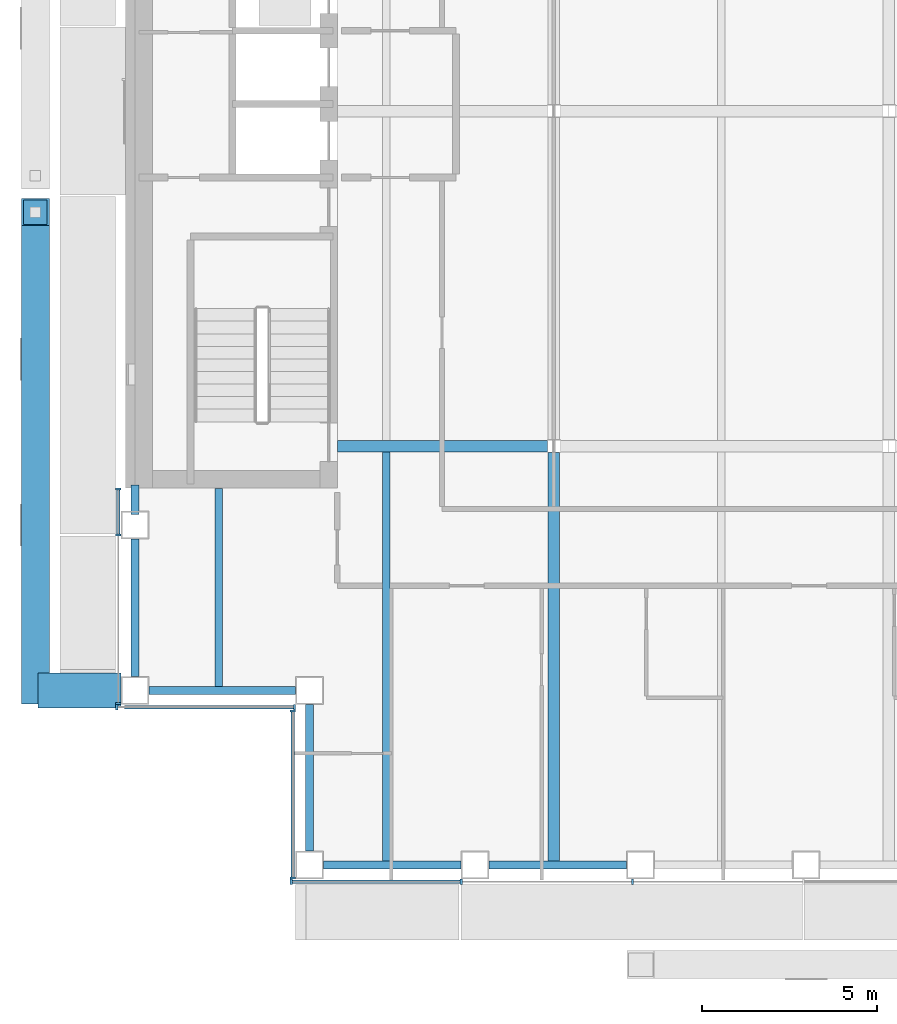
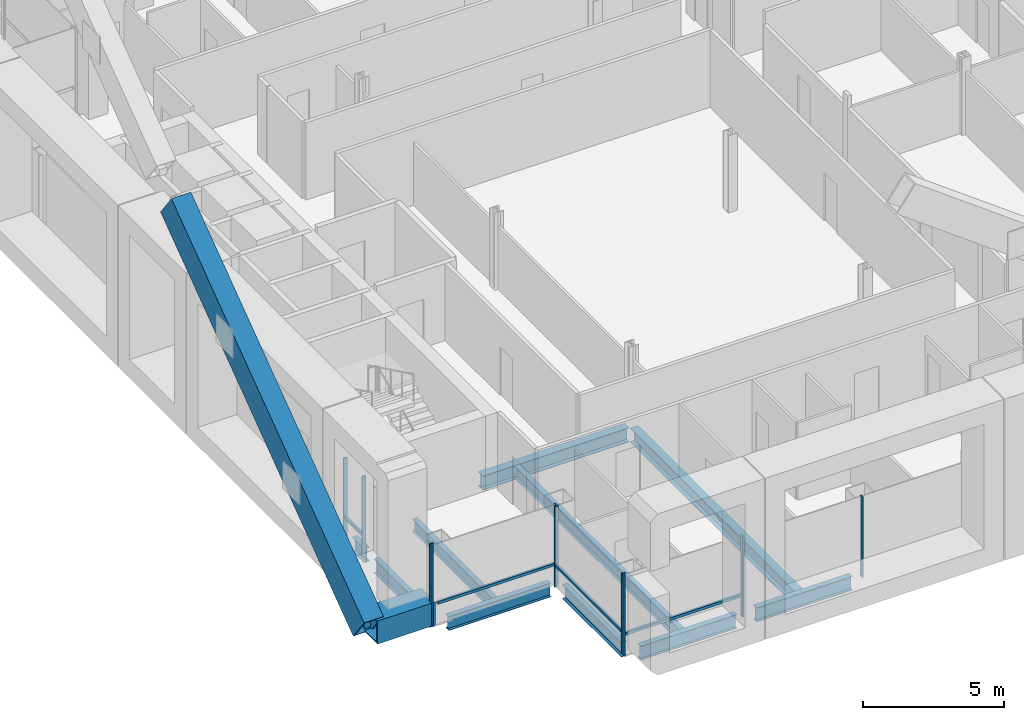
# One storey, part 3 of 22: 15 members, 11 beams, 4 elements without a shape of their own.
"""IFC4 building model written with IfcOpenShell, lengths in metres."""

from ifc_helpers import new_model, si_unit, direction, frame, origin, origin_2d, place, context, subcontext, project, spatial, rectangle, hollow_rectangle, i_section, extrude, material, material_profile, profile_set, type_object, element, aggregate, save


model = new_model("IFC4")

# Units and contexts
model_context = context("Model", 3, precision=1e-05, world=origin(), true_north=direction((0.0, 1.0)))
body_context = subcontext(model_context, "Body", "Model", "MODEL_VIEW")
ifc_project = project(units=[si_unit("LENGTHUNIT", "METRE"), si_unit("AREAUNIT", "SQUARE_METRE"), si_unit("VOLUMEUNIT", "CUBIC_METRE"), si_unit("PLANEANGLEUNIT", "RADIAN"), si_unit("MASSUNIT", "GRAM", prefix="KILO")], contexts=[model_context])

# Site, building, storey
site_placement = place(None, origin())
site = spatial("IfcSite", under=ifc_project, at=site_placement, CompositionType="ELEMENT")
building_placement = place(site_placement, origin())
building = spatial("IfcBuilding", under=site, at=building_placement, Name="Cobrizo Arcos Hotel Tower", CompositionType="ELEMENT")
storey_placement = place(building_placement, frame((0.0, 0.0, 155.0)))
storey = spatial("IfcBuildingStorey", under=building, at=storey_placement, Name="L39", CompositionType="ELEMENT", Elevation=155.0)

# Beam
ifc_material_1 = material(Name="Steel ASTM A572 Grade 50", Category="steel")
ifc_material_profile_1 = material_profile(ifc_material_1, hollow_rectangle(XDim=1.0, YDim=1.0, WallThickness=0.06005859375, at=origin_2d()), Name="BOX 1000X1000X60")
ifc_profile_set_1 = profile_set([ifc_material_profile_1], Name="Steel ASTM A572 Grade 50")
beam_type_1 = type_object("IfcBeamType", Name="BOX 1000X1000X60 brace connector strut", PredefinedType="BEAM", material=ifc_profile_set_1)
beam_1_placement = place(storey_placement, frame((-21.989990234375, -16.60009765625, 0.5), z_axis=(-1.0, 0.0, 0.0), x_axis=(0.0, -1.0, 0.0)))
element("IfcBeam", 1, at=beam_1_placement, inside=storey, type_object=beam_type_1, Name="Perimeter brace stub BS1, zone Z3, west face, offset -16.60 m, L39", PredefinedType="BEAM", context=body_context, shape_type="SweptSolid", body=[
    extrude(hollow_rectangle(XDim=1.0, YDim=1.0, WallThickness=0.06005859375, at=origin_2d()), origin(), (0.0, 0.0, 1.0), 2.380126953125),
])

# Member
ifc_material_profile_2 = material_profile(ifc_material_1, hollow_rectangle(XDim=0.800048828125, YDim=1.300048828125, WallThickness=0.06005859375, at=origin_2d()), Name="BOX 800X1300X60")
ifc_profile_set_2 = profile_set([ifc_material_profile_2], Name="Steel ASTM A572 Grade 50")
member_type_1 = type_object("IfcMemberType", Name="BOX 800X1300X60 perimeter brace", PredefinedType="BRACE", material=ifc_profile_set_2)
member_1_placement = place(storey_placement, frame((-24.449951171875, -16.60009765625, 0.5), z_axis=(0.0, 0.804630166974, 0.593776299961), x_axis=(-1.0, 0.0, 0.0)))
element("IfcMember", 2, at=member_1_placement, inside=storey, type_object=member_type_1, Name="Perimeter brace PBR3, zone Z3, west face, no. 07", PredefinedType="BRACE", context=body_context, shape_type="SweptSolid", body=[
    extrude(hollow_rectangle(XDim=0.800048828125, YDim=1.300048828125, WallThickness=0.06005859375, at=origin_2d()), origin(), (0.0, 0.0, 1.0), 17.033447265625),
])

# Curtain wall, members
ifc_material_2 = material(Name="Aluminium 6063-T6 anodised bronze", Category="aluminium")
curtain_wall_type = type_object("IfcCurtainWallType", Name="CW-A guest facade", PredefinedType="NOTDEFINED", material=ifc_material_2)
curtain_wall_1_placement = place(storey_placement, origin())
curtain_wall_1 = element("IfcCurtainWall", 3, at=curtain_wall_1_placement, inside=storey, type_object=curtain_wall_type, Name="CW-A L39 S face", PredefinedType="NOTDEFINED")
ifc_material_profile_3 = material_profile(ifc_material_2, rectangle(XDim=0.14990234375, YDim=0.06005859375, at=origin_2d()), Name="CW-A mullion 150x60")
ifc_profile_set_3 = profile_set([ifc_material_profile_3], Name="Aluminium 6063-T6 anodised bronze")
member_type_2 = type_object("IfcMemberType", Name="CW-A mullion 150x60", PredefinedType="MULLION", material=ifc_profile_set_3)
member_2_placement = place(storey_placement, frame((-17.1201171875, -22.074951171875, 0.0), z_axis=(0.0, 0.0, 1.0), x_axis=(0.0, -1.0, 0.0)))
member_2 = element("IfcMember", 4, at=member_2_placement, type_object=member_type_2, Name="CW-A mullion 1", PredefinedType="MULLION", context=body_context, shape_type="SweptSolid", body=[
    extrude(rectangle(XDim=0.14990234375, YDim=0.06005859375, at=origin_2d()), origin(), (0.0, 0.0, 1.0), 3.5),
])
member_3_placement = place(storey_placement, frame((-12.25, -22.074951171875, 0.0), z_axis=(0.0, 0.0, 1.0), x_axis=(0.0, -1.0, 0.0)))
member_3 = element("IfcMember", 5, at=member_3_placement, type_object=member_type_2, Name="CW-A mullion 2", PredefinedType="MULLION", context=body_context, shape_type="SweptSolid", body=[
    extrude(rectangle(XDim=0.14990234375, YDim=0.06005859375, at=origin_2d()), origin(), (0.0, 0.0, 1.0), 3.5),
])
member_4_placement = place(storey_placement, frame((-7.35009765625, -22.074951171875, 0.0), z_axis=(0.0, 0.0, 1.0), x_axis=(0.0, -1.0, 0.0)))
member_4 = element("IfcMember", 6, at=member_4_placement, type_object=member_type_2, Name="CW-A mullion 3", PredefinedType="MULLION", context=body_context, shape_type="SweptSolid", body=[
    extrude(rectangle(XDim=0.14990234375, YDim=0.06005859375, at=origin_2d()), origin(), (0.0, 0.0, 1.0), 3.5),
])

curtain_wall_2_placement = place(storey_placement, origin())
curtain_wall_2 = element("IfcCurtainWall", 7, at=curtain_wall_2_placement, inside=storey, type_object=curtain_wall_type, Name="CW-A L39 W face", PredefinedType="NOTDEFINED")
member_5_placement = place(storey_placement, frame((-22.074951171875, -10.830078125, 0.0), z_axis=(0.0, 0.0, 1.0), x_axis=(-1.0, 0.0, 0.0)))
member_5 = element("IfcMember", 8, at=member_5_placement, type_object=member_type_2, Name="CW-A mullion 1", PredefinedType="MULLION", context=body_context, shape_type="SweptSolid", body=[
    extrude(rectangle(XDim=0.14990234375, YDim=0.06005859375, at=origin_2d()), origin(), (0.0, 0.0, 1.0), 3.5),
])
member_6_placement = place(storey_placement, frame((-22.074951171875, -12.142822265625, 0.0), z_axis=(0.0, 0.0, 1.0), x_axis=(-1.0, 0.0, 0.0)))
member_6 = element("IfcMember", 9, at=member_6_placement, type_object=member_type_2, Name="CW-A mullion 2", PredefinedType="MULLION", context=body_context, shape_type="SweptSolid", body=[
    extrude(rectangle(XDim=0.14990234375, YDim=0.06005859375, at=origin_2d()), origin(), (0.0, 0.0, 1.0), 3.5),
])
member_7_placement = place(storey_placement, frame((-22.074951171875, -16.969970703125, 0.0), z_axis=(0.0, 0.0, 1.0), x_axis=(-1.0, 0.0, 0.0)))
member_7 = element("IfcMember", 10, at=member_7_placement, type_object=member_type_2, Name="CW-A mullion 3", PredefinedType="MULLION", context=body_context, shape_type="SweptSolid", body=[
    extrude(rectangle(XDim=0.14990234375, YDim=0.06005859375, at=origin_2d()), origin(), (0.0, 0.0, 1.0), 3.5),
])

curtain_wall_3_placement = place(storey_placement, origin())
curtain_wall_3 = element("IfcCurtainWall", 11, at=curtain_wall_3_placement, inside=storey, type_object=curtain_wall_type, Name="CW-A L39 S face", PredefinedType="NOTDEFINED")
member_8_placement = place(storey_placement, frame((-22.1201171875, -17.074951171875, 0.0), z_axis=(0.0, 0.0, 1.0), x_axis=(0.0, -1.0, 0.0)))
member_8 = element("IfcMember", 12, at=member_8_placement, type_object=member_type_2, Name="CW-A mullion 1", PredefinedType="MULLION", context=body_context, shape_type="SweptSolid", body=[
    extrude(rectangle(XDim=0.14990234375, YDim=0.06005859375, at=origin_2d()), origin(), (0.0, 0.0, 1.0), 3.5),
])
member_9_placement = place(storey_placement, frame((-17.030029296875, -17.074951171875, 0.0), z_axis=(0.0, 0.0, 1.0), x_axis=(0.0, -1.0, 0.0)))
member_9 = element("IfcMember", 13, at=member_9_placement, type_object=member_type_2, Name="CW-A mullion 2", PredefinedType="MULLION", context=body_context, shape_type="SweptSolid", body=[
    extrude(rectangle(XDim=0.14990234375, YDim=0.06005859375, at=origin_2d()), origin(), (0.0, 0.0, 1.0), 3.5),
])

curtain_wall_4_placement = place(storey_placement, origin())
curtain_wall_4 = element("IfcCurtainWall", 14, at=curtain_wall_4_placement, inside=storey, type_object=curtain_wall_type, Name="CW-A L39 W face", PredefinedType="NOTDEFINED")
member_10_placement = place(storey_placement, frame((-17.074951171875, -17.179931640625, 0.0), z_axis=(0.0, 0.0, 1.0), x_axis=(-1.0, 0.0, 0.0)))
member_10 = element("IfcMember", 15, at=member_10_placement, type_object=member_type_2, Name="CW-A mullion 1", PredefinedType="MULLION", context=body_context, shape_type="SweptSolid", body=[
    extrude(rectangle(XDim=0.14990234375, YDim=0.06005859375, at=origin_2d()), origin(), (0.0, 0.0, 1.0), 3.5),
])
member_11_placement = place(storey_placement, frame((-17.074951171875, -21.969970703125, 0.0), z_axis=(0.0, 0.0, 1.0), x_axis=(-1.0, 0.0, 0.0)))
member_11 = element("IfcMember", 16, at=member_11_placement, type_object=member_type_2, Name="CW-A mullion 2", PredefinedType="MULLION", context=body_context, shape_type="SweptSolid", body=[
    extrude(rectangle(XDim=0.14990234375, YDim=0.06005859375, at=origin_2d()), origin(), (0.0, 0.0, 1.0), 3.5),
])

# Member
ifc_material_profile_4 = material_profile(ifc_material_2, rectangle(XDim=0.10009765625, YDim=0.1201171875, at=origin_2d()), Name="CW-A transom 120x100")
ifc_profile_set_4 = profile_set([ifc_material_profile_4], Name="Aluminium 6063-T6 anodised bronze")
member_type_3 = type_object("IfcMemberType", Name="CW-A transom 120x100", PredefinedType="USERDEFINED", material=ifc_profile_set_4)
member_12_placement = place(storey_placement, frame((-17.090087890625, -22.074951171875, 0.929931640625), z_axis=(1.0, 0.0, 0.0), x_axis=(0.0, 1.0, 0.0)))
member_12 = element("IfcMember", 17, at=member_12_placement, type_object=member_type_3, Name="CW-A transom 1396", ObjectType="TRANSOM", PredefinedType="USERDEFINED", context=body_context, shape_type="SweptSolid", body=[
    extrude(rectangle(XDim=0.10009765625, YDim=0.1201171875, at=origin_2d()), origin(), (0.0, 0.0, 1.0), 4.81005859375),
])

aggregate(curtain_wall_1, [member_2, member_3, member_4, member_12])

member_13_placement = place(storey_placement, frame((-22.074951171875, -10.860107421875, 0.929931640625), z_axis=(0.0, -1.0, 0.0), x_axis=(1.0, 0.0, 0.0)))
member_13 = element("IfcMember", 18, at=member_13_placement, type_object=member_type_3, Name="CW-A transom 1422", ObjectType="TRANSOM", PredefinedType="USERDEFINED", context=body_context, shape_type="SweptSolid", body=[
    extrude(rectangle(XDim=0.10009765625, YDim=0.1201171875, at=origin_2d()), origin(), (0.0, 0.0, 1.0), 1.252685546875),
])

aggregate(curtain_wall_2, [member_5, member_6, member_7, member_13])

member_14_placement = place(storey_placement, frame((-21.889892578125, -17.074951171875, 0.929931640625), z_axis=(1.0, 0.0, 0.0), x_axis=(0.0, 1.0, 0.0)))
member_14 = element("IfcMember", 19, at=member_14_placement, type_object=member_type_3, Name="CW-A transom 1424", ObjectType="TRANSOM", PredefinedType="USERDEFINED", context=body_context, shape_type="SweptSolid", body=[
    extrude(rectangle(XDim=0.10009765625, YDim=0.1201171875, at=origin_2d()), origin(), (0.0, 0.0, 1.0), 4.829833984375),
])

aggregate(curtain_wall_3, [member_8, member_9, member_14])

member_15_placement = place(storey_placement, frame((-17.074951171875, -17.2099609375, 0.929931640625), z_axis=(0.0, -1.0, 0.0), x_axis=(1.0, 0.0, 0.0)))
member_15 = element("IfcMember", 20, at=member_15_placement, type_object=member_type_3, Name="CW-A transom 1425", ObjectType="TRANSOM", PredefinedType="USERDEFINED", context=body_context, shape_type="SweptSolid", body=[
    extrude(rectangle(XDim=0.10009765625, YDim=0.1201171875, at=origin_2d()), origin(), (0.0, 0.0, 1.0), 4.72998046875),
])

aggregate(curtain_wall_4, [member_10, member_11, member_15])

# Beams
ifc_material_3 = material(Name="Steel ASTM A992 Grade 50", Category="steel")
ifc_material_profile_5 = material_profile(ifc_material_3, i_section(OverallWidth=0.209228515625, OverallDepth=0.533447265625, WebThickness=0.01025390625, FlangeThickness=0.015625, at=origin_2d()), Name="W21X62")
ifc_profile_set_5 = profile_set([ifc_material_profile_5], Name="Steel ASTM A992 Grade 50")
beam_type_2 = type_object("IfcBeamType", Name="W21X62 joist", PredefinedType="JOIST", material=ifc_profile_set_5)
beam_2_placement = place(storey_placement, frame((-19.199951171875, -16.510009765625, -0.416748046875), z_axis=(0.0, 1.0, 0.0), x_axis=(-1.0, 0.0, 0.0)))
element("IfcBeam", 21, at=beam_2_placement, inside=storey, type_object=beam_type_2, Name="Floor joist J1, L39, no. 001", PredefinedType="JOIST", context=body_context, shape_type="SweptSolid", body=[
    extrude(i_section(OverallWidth=0.209228515625, OverallDepth=0.533447265625, WebThickness=0.01025390625, FlangeThickness=0.015625, at=origin_2d()), origin(), (0.0, 0.0, 1.0), 5.699951171875),
])
beam_3_placement = place(storey_placement, frame((-14.39990234375, -21.510009765625, -0.416748046875), z_axis=(0.0, 1.0, 0.0), x_axis=(-1.0, 0.0, 0.0)))
element("IfcBeam", 22, at=beam_3_placement, inside=storey, type_object=beam_type_2, Name="Floor joist J1, L39, no. 003", PredefinedType="JOIST", context=body_context, shape_type="SweptSolid", body=[
    extrude(i_section(OverallWidth=0.209228515625, OverallDepth=0.533447265625, WebThickness=0.01025390625, FlangeThickness=0.015625, at=origin_2d()), origin(), (0.0, 0.0, 1.0), 11.74609375),
])
ifc_material_profile_6 = material_profile(ifc_material_3, i_section(OverallWidth=0.32763671875, OverallDepth=0.622314453125, WebThickness=0.015380859375, FlangeThickness=0.0244140625, at=origin_2d()), Name="W24X131")
ifc_profile_set_6 = profile_set([ifc_material_profile_6], Name="Steel ASTM A992 Grade 50")
beam_type_3 = type_object("IfcBeamType", Name="W24X131 girder", PredefinedType="BEAM", material=ifc_profile_set_6)
beam_4_placement = place(storey_placement, frame((-15.7900390625, -9.60009765625, -0.461181640625), z_axis=(1.0, 0.0, 0.0), x_axis=(0.0, 1.0, 0.0)))
element("IfcBeam", 23, at=beam_4_placement, inside=storey, type_object=beam_type_3, Name="Floor girder G1, L39, no. 001", PredefinedType="BEAM", context=body_context, shape_type="SweptSolid", body=[
    extrude(i_section(OverallWidth=0.32763671875, OverallDepth=0.622314453125, WebThickness=0.015380859375, FlangeThickness=0.0244140625, at=origin_2d()), origin(), (0.0, 0.0, 1.0), 6.00341796875),
])
beam_5_placement = place(storey_placement, frame((-9.60009765625, -21.510009765625, -0.461181640625), z_axis=(0.0, 1.0, 0.0), x_axis=(-1.0, 0.0, 0.0)))
element("IfcBeam", 24, at=beam_5_placement, inside=storey, type_object=beam_type_3, Name="Floor girder G1, L39, no. 013", PredefinedType="BEAM", context=body_context, shape_type="SweptSolid", body=[
    extrude(i_section(OverallWidth=0.32763671875, OverallDepth=0.622314453125, WebThickness=0.015380859375, FlangeThickness=0.0244140625, at=origin_2d()), origin(), (0.0, 0.0, 1.0), 11.723388671875),
])
ifc_material_profile_7 = material_profile(ifc_material_3, i_section(OverallWidth=0.228271484375, OverallDepth=0.607177734375, WebThickness=0.01123046875, FlangeThickness=0.017333984375, at=origin_2d()), Name="W24X76")
ifc_profile_set_7 = profile_set([ifc_material_profile_7], Name="Steel ASTM A992 Grade 50")
beam_type_4 = type_object("IfcBeamType", Name="W24X76 spandrel", PredefinedType="SPANDREL", material=ifc_profile_set_7)
beam_6_placement = place(storey_placement, frame((-16.199951171875, -21.60009765625, -0.45361328125), z_axis=(1.0, 0.0, 0.0), x_axis=(0.0, 1.0, 0.0)))
element("IfcBeam", 25, at=beam_6_placement, inside=storey, type_object=beam_type_4, Name="Spandrel beam W24X76, L39, no. 001", PredefinedType="SPANDREL", context=body_context, shape_type="SweptSolid", body=[
    extrude(i_section(OverallWidth=0.228271484375, OverallDepth=0.607177734375, WebThickness=0.01123046875, FlangeThickness=0.017333984375, at=origin_2d()), origin(), (0.0, 0.0, 1.0), 3.94287109375),
])
beam_7_placement = place(storey_placement, frame((-11.45703125, -21.60009765625, -0.45361328125), z_axis=(1.0, 0.0, 0.0), x_axis=(0.0, 1.0, 0.0)))
element("IfcBeam", 26, at=beam_7_placement, inside=storey, type_object=beam_type_4, Name="Spandrel beam W24X76, L39, no. 002", PredefinedType="SPANDREL", context=body_context, shape_type="SweptSolid", body=[
    extrude(i_section(OverallWidth=0.228271484375, OverallDepth=0.607177734375, WebThickness=0.01123046875, FlangeThickness=0.017333984375, at=origin_2d()), origin(), (0.0, 0.0, 1.0), 3.943115234375),
])
beam_8_placement = place(storey_placement, frame((-21.60009765625, -10.7099609375, -0.45361328125), z_axis=(0.0, -1.0, 0.0), x_axis=(1.0, 0.0, 0.0)))
element("IfcBeam", 27, at=beam_8_placement, inside=storey, type_object=beam_type_4, Name="Spandrel beam W24X76, L39, no. 027", PredefinedType="SPANDREL", context=body_context, shape_type="SweptSolid", body=[
    extrude(i_section(OverallWidth=0.228271484375, OverallDepth=0.607177734375, WebThickness=0.01123046875, FlangeThickness=0.017333984375, at=origin_2d()), origin(), (0.0, 0.0, 1.0), 0.846923828125),
])
beam_9_placement = place(storey_placement, frame((-21.60009765625, -12.257080078125, -0.45361328125), z_axis=(0.0, -1.0, 0.0), x_axis=(1.0, 0.0, 0.0)))
element("IfcBeam", 28, at=beam_9_placement, inside=storey, type_object=beam_type_4, Name="Spandrel beam W24X76, L39, no. 028", PredefinedType="SPANDREL", context=body_context, shape_type="SweptSolid", body=[
    extrude(i_section(OverallWidth=0.228271484375, OverallDepth=0.607177734375, WebThickness=0.01123046875, FlangeThickness=0.017333984375, at=origin_2d()), origin(), (0.0, 0.0, 1.0), 3.94287109375),
])
for number, where, z_axis, x_axis, name in (
    (29, (-21.199951171875, -16.60009765625, -0.45361328125), (1.0, 0.0, 0.0), (0.0, 1.0, 0.0), "Spandrel beam W24X76, L39, no. 029"),
    (30, (-16.60009765625, -17.0, -0.45361328125), (0.0, -1.0, 0.0), (1.0, 0.0, 0.0), "Spandrel beam W24X76, L39, no. 030"),
):
    element("IfcBeam", number, at=place(storey_placement, frame(where, z_axis=z_axis, x_axis=x_axis)), inside=storey, type_object=beam_type_4, Name=name, PredefinedType="SPANDREL", context=body_context, shape_type="SweptSolid", body=[
        extrude(i_section(OverallWidth=0.228271484375, OverallDepth=0.607177734375, WebThickness=0.01123046875, FlangeThickness=0.017333984375, at=origin_2d()), origin(), (0.0, 0.0, 1.0), 4.199951171875),
    ])

save(model, "model.ifc")
